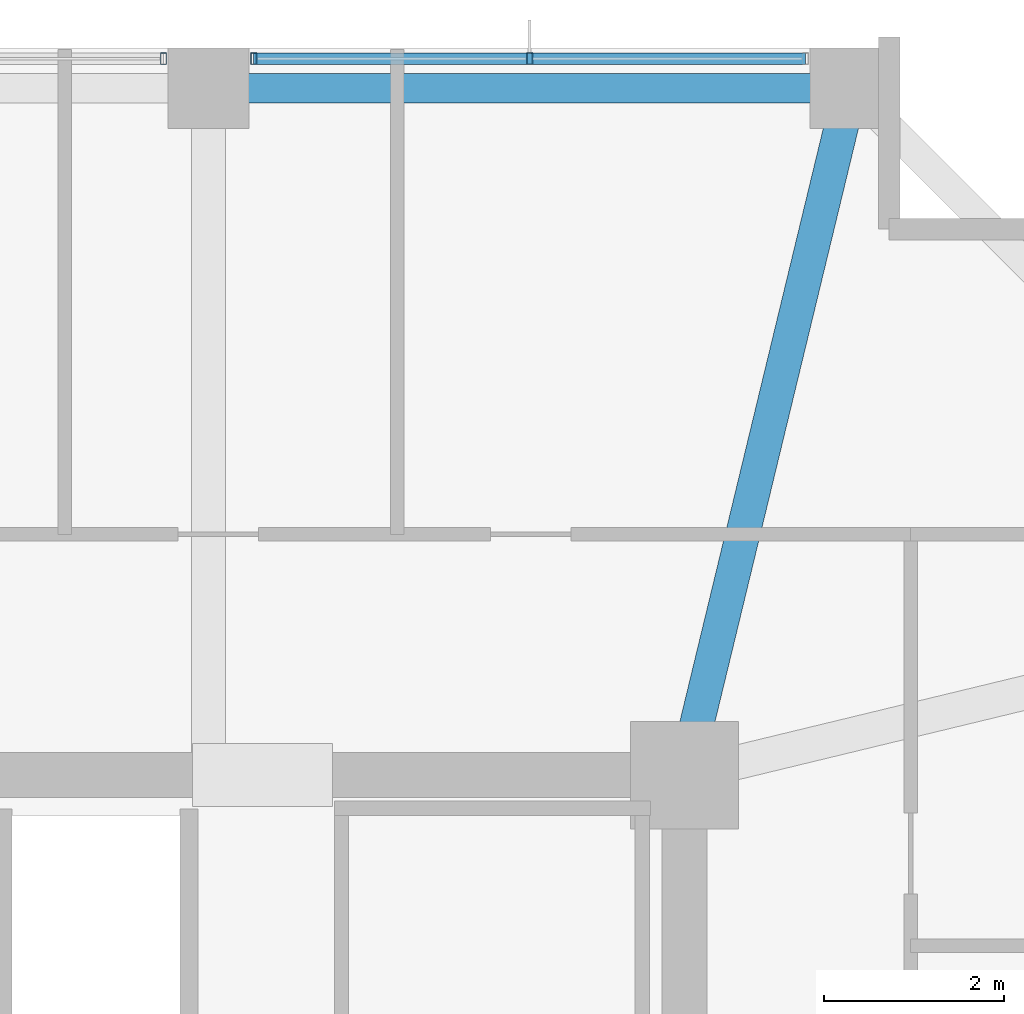
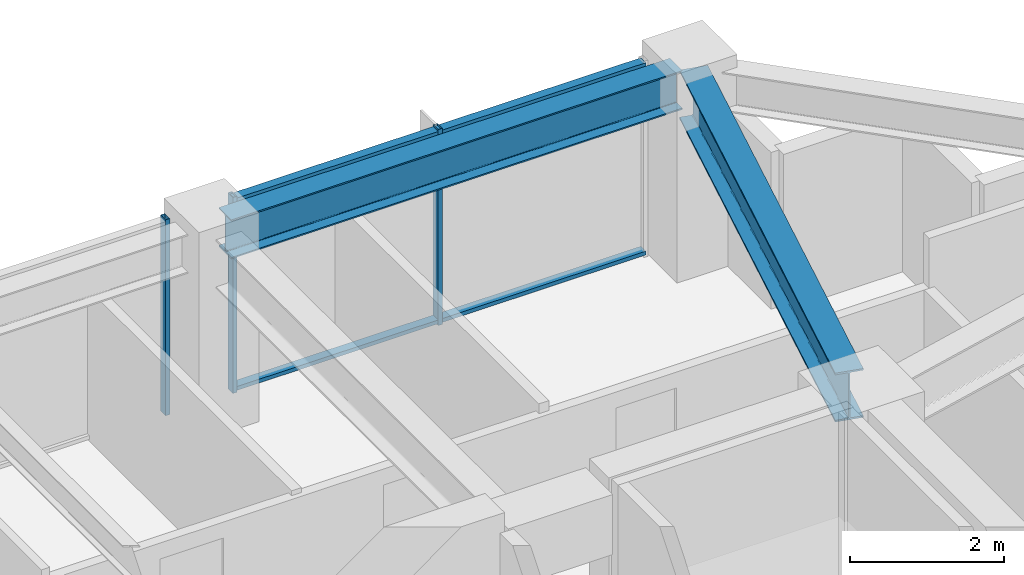
# One storey, part 21 of 33: 5 members, 2 beams, 2 elements without a shape of their own.
"""IFC4 building model written with IfcOpenShell, lengths in metres."""

import ifcopenshell
import ifcopenshell.guid

model = None  # the IFC model being written
_history = None  # IfcOwnerHistory: only IFC2X3 demands one
_inside = {}  # id of a spatial element -> (the spatial element, [elements in it])
_under = {}  # id of a project, library or spatial element -> (it, [spatial elements below it])
_declared = {}  # id of a project -> (the project, [libraries it declares])
_typed = {}  # id of a type object -> (the type object, [elements of that type])
_made_of = {}  # id of a material, layer set ... -> (it, [elements and type objects made of it])


def new_model(schema):
    """Start an empty IFC model of exactly this schema.

    Asked for "IFC4X3", IfcOpenShell would pick the latest addendum, in which some entities
    have other attributes; the version numbers below select the first issue.
    IFC2X3 requires an IfcOwnerHistory on every rooted entity: one is made here for all.
    """
    global model, _history
    if schema == "IFC4X3":
        model = ifcopenshell.file(schema_version=(4, 3, 0, 0))
    else:
        model = ifcopenshell.file(schema=schema)
    _inside.clear()
    _under.clear()
    _declared.clear()
    _typed.clear()
    _made_of.clear()
    _history = None
    if model.schema == "IFC2X3":
        org = make("IfcOrganization", Name="unknown")
        user = make(
            "IfcPersonAndOrganization",
            ThePerson=make("IfcPerson", FamilyName="unknown"),
            TheOrganization=org,
        )
        app = make(
            "IfcApplication",
            ApplicationDeveloper=org,
            Version="unknown",
            ApplicationFullName="unknown",
            ApplicationIdentifier="unknown",
        )
        _history = make(
            "IfcOwnerHistory",
            OwningUser=user,
            OwningApplication=app,
            ChangeAction="ADDED",
            CreationDate=0,
        )
    return model


def make(cls, **values):
    """One entity of the class cls with the attributes given. An attribute that is None is left unset."""
    return model.create_entity(
        cls, **{name: value for name, value in values.items() if value is not None}
    )


def rooted(cls, **values):
    """An entity with a GlobalId (a new one), such as an element, a storey or a relation."""
    return make(cls, GlobalId=ifcopenshell.guid.new(), OwnerHistory=_history, **values)


def si_unit(unit_type, name, prefix=None):
    """IfcSIUnit, for example si_unit("LENGTHUNIT", "METRE", prefix="MILLI")."""
    return make("IfcSIUnit", UnitType=unit_type, Prefix=prefix, Name=name)


def assignment(units):
    """IfcUnitAssignment: the units of a project."""
    return None if units is None else make("IfcUnitAssignment", Units=units)


def point(xyz):
    """IfcCartesianPoint."""
    return None if xyz is None else make("IfcCartesianPoint", Coordinates=xyz)


def direction(xyz):
    """IfcDirection."""
    return None if xyz is None else make("IfcDirection", DirectionRatios=xyz)


def frame(location, z_axis=None, x_axis=None):
    """IfcAxis2Placement3D, a coordinate frame: its origin and axes. An axis left out is left unset."""
    return make(
        "IfcAxis2Placement3D",
        Location=point(location),
        Axis=direction(z_axis),
        RefDirection=direction(x_axis),
    )


def frame_2d(location, x_axis=None):
    """IfcAxis2Placement2D, a coordinate frame in the plane: its origin and x axis."""
    return make(
        "IfcAxis2Placement2D", Location=point(location), RefDirection=direction(x_axis)
    )


def origin():
    """The frame at (0, 0, 0) with its axes left unset."""
    return frame((0.0, 0.0, 0.0))


def origin_2d():
    """The frame at (0, 0) in the plane with its x axis left unset."""
    return frame_2d((0.0, 0.0))


def place(relative_to, where):
    """IfcLocalPlacement: puts the frame where relative to a parent placement (None: the world)."""
    return make(
        "IfcLocalPlacement", PlacementRelTo=relative_to, RelativePlacement=where
    )


def context(
    kind, dimensions, precision=None, world=None, true_north=None, identifier=None
):
    """IfcGeometricRepresentationContext, for example the 3D "Model" context."""
    return make(
        "IfcGeometricRepresentationContext",
        ContextIdentifier=identifier,
        ContextType=kind,
        CoordinateSpaceDimension=dimensions,
        Precision=precision,
        WorldCoordinateSystem=world,
        TrueNorth=true_north,
    )


def subcontext(parent, identifier, kind, view, scale=None):
    """IfcGeometricRepresentationSubContext, for example "Body" below "Model"."""
    return make(
        "IfcGeometricRepresentationSubContext",
        ContextIdentifier=identifier,
        ContextType=kind,
        ParentContext=parent,
        TargetScale=scale,
        TargetView=view,
    )


def project(units=None, contexts=None):
    """IfcProject with its units and contexts."""
    return rooted(
        "IfcProject",
        Name="project",
        RepresentationContexts=contexts,
        UnitsInContext=assignment(units),
    )


def spatial(cls, under=None, at=None, **own):
    """A site, building, storey or space (cls), placed at a placement, below another one or the project."""
    s = rooted(cls, ObjectPlacement=at, **own)
    if under is not None:
        _under.setdefault(under.id(), (under, []))[1].append(s)
    return s


def profile(cls, at=None, kind="AREA", **sizes):
    """A parametric profile (cls). Its sizes go by their IFC names, for example OverallWidth=200.0."""
    return make(cls, ProfileType=kind, Position=at, **sizes)


def hollow_rectangle(**sizes):
    """IfcRectangleHollowProfileDef."""
    return profile("IfcRectangleHollowProfileDef", **sizes)


def i_section(**sizes):
    """IfcIShapeProfileDef."""
    return profile("IfcIShapeProfileDef", **sizes)


def extrude(swept, where, along, depth):
    """IfcExtrudedAreaSolid: the profile swept, set in the frame where, extruded along a direction by depth."""
    return make(
        "IfcExtrudedAreaSolid",
        SweptArea=swept,
        Position=where,
        ExtrudedDirection=direction(along),
        Depth=depth,
    )


def shape(context_of_items, identifier, shape_type, items):
    """IfcShapeRepresentation: the items that make up one representation, for example the "Body"."""
    return make(
        "IfcShapeRepresentation",
        ContextOfItems=context_of_items,
        RepresentationIdentifier=identifier,
        RepresentationType=shape_type,
        Items=items,
    )


def material(Name=None, Category=None):
    """IfcMaterial."""
    return make("IfcMaterial", Name=Name, Category=Category)


def material_profile(
    of_material, cross_section, Name=None, Category=None, Priority=None
):
    """IfcMaterialProfile: a cross section and its material."""
    return make(
        "IfcMaterialProfile",
        Name=Name,
        Material=of_material,
        Profile=cross_section,
        Priority=Priority,
        Category=Category,
    )


def profile_set(profiles, Name=None, composite=None):
    """IfcMaterialProfileSet."""
    return make(
        "IfcMaterialProfileSet",
        Name=Name,
        MaterialProfiles=profiles,
        CompositeProfile=composite,
    )


def made_of(thing, what):
    """Note that an element or type object is made of a material, layer set ...; save() writes the relation."""
    if what is not None:
        _made_of.setdefault(what.id(), (what, []))[1].append(thing)
    return thing


def type_object(cls, material=None, **own):
    """A type object (cls), such as IfcWallType, which elements share."""
    return made_of(rooted(cls, **own), material)


def element(
    cls,
    number,
    at=None,
    inside=None,
    cuts=None,
    type_object=None,
    material=None,
    context=None,
    identifier="Body",
    shape_type=None,
    held_by="IfcProductDefinitionShape",
    body=None,
    shapes=None,
    **own,
):
    """One element of the class cls, such as IfcWall. Its Tag is "e" and its number.

    at: its placement. inside: the storey or other place that contains it. cuts: it is an
    opening in that element (IfcRelVoidsElement). A single representation is given by context,
    identifier, shape_type and body (its items); several are given by shapes. held_by: the class
    of the entity that holds the representations. save() writes the other relations.
    """
    e = rooted(cls, Tag="e%d" % number, ObjectPlacement=at, **own)
    if body is not None:
        shapes = [shape(context, identifier, shape_type, body)]
    if shapes is not None:
        e.Representation = make(held_by, Representations=shapes)
    if inside is not None:
        _inside.setdefault(inside.id(), (inside, []))[1].append(e)
    if cuts is not None:
        rooted(
            "IfcRelVoidsElement", RelatingBuildingElement=cuts, RelatedOpeningElement=e
        )
    if type_object is not None:
        _typed.setdefault(type_object.id(), (type_object, []))[1].append(e)
    return made_of(e, material)


def aggregate(whole, parts):
    """IfcRelAggregates: a whole, such as a stair, and the parts it consists of."""
    return rooted("IfcRelAggregates", RelatingObject=whole, RelatedObjects=parts)


def save(model, path):
    """Write the relations noted so far, then the file.

    IfcRelAggregates (storeys below a building ...), IfcRelContainedInSpatialStructure (elements
    in a storey), IfcRelDefinesByType, IfcRelAssociatesMaterial and IfcRelDeclares: one each for
    every whole, place, type object, material and project.
    """
    for whole, parts in _under.values():
        aggregate(whole, parts)
    for where, things in _inside.values():
        rooted(
            "IfcRelContainedInSpatialStructure",
            RelatedElements=things,
            RelatingStructure=where,
        )
    for kind, things in _typed.values():
        rooted("IfcRelDefinesByType", RelatedObjects=things, RelatingType=kind)
    for what, things in _made_of.values():
        rooted("IfcRelAssociatesMaterial", RelatedObjects=things, RelatingMaterial=what)
    for by, libraries in _declared.values():
        rooted("IfcRelDeclares", RelatingContext=by, RelatedDefinitions=libraries)
    model.write(path)


model = new_model("IFC4")

# Units and contexts
model_context = context("Model", 3, precision=1e-05, world=origin(), true_north=direction((0.0, 1.0)))
body_context = subcontext(model_context, "Body", "Model", "MODEL_VIEW")
ifc_project = project(units=[si_unit("LENGTHUNIT", "METRE"), si_unit("AREAUNIT", "SQUARE_METRE"), si_unit("VOLUMEUNIT", "CUBIC_METRE"), si_unit("PLANEANGLEUNIT", "RADIAN"), si_unit("MASSUNIT", "GRAM", prefix="KILO")], contexts=[model_context])

# Site, building, storey
site_placement = place(None, origin())
site = spatial("IfcSite", under=ifc_project, at=site_placement, CompositionType="ELEMENT")
building_placement = place(site_placement, origin())
building = spatial("IfcBuilding", under=site, at=building_placement, Name="Kolvaren Belvedere", CompositionType="ELEMENT")
storey_placement = place(building_placement, frame((0.0, 0.0, 128.300048828125)))
storey = spatial("IfcBuildingStorey", under=building, at=storey_placement, Name="L37", CompositionType="ELEMENT", Elevation=128.300048828125)

# Beams
ifc_material_1 = material(Name="Structural steel ASTM A992 Grade 50", Category="steel")
ifc_material_profile_1 = material_profile(ifc_material_1, i_section(OverallWidth=0.381103515625, OverallDepth=0.77294921875, WebThickness=0.0166015625, FlangeThickness=0.027099609375, FilletRadius=0.02392578125, at=origin_2d()), Name="W30X173")
ifc_profile_set_1 = profile_set([ifc_material_profile_1], Name="Structural steel ASTM A992 Grade 50")
beam_type_1 = type_object("IfcBeamType", Name="BM-GIRD-W30X173", PredefinedType="BEAM", material=ifc_profile_set_1)
beam_1_placement = place(storey_placement, frame((10.029296875, 10.4345703125, 2.71337890625), z_axis=(0.235062749937, 0.971980197119, 0.0), x_axis=(-0.971980197119, 0.235062749937, 0.0)))
element("IfcBeam", 1, at=beam_1_placement, inside=storey, type_object=beam_type_1, Name="L37 Corner Core-to-Perimeter Girder CC3-N4", PredefinedType="BEAM", context=body_context, shape_type="SweptSolid", body=[
    extrude(i_section(OverallWidth=0.381103515625, OverallDepth=0.77294921875, WebThickness=0.0166015625, FlangeThickness=0.027099609375, FilletRadius=0.02392578125, at=origin_2d()), origin(), (0.0, 0.0, 1.0), 7.140625),
])
ifc_material_2 = material(Name="Structural steel ASTM A992 Grade 50", Category="steel")
ifc_material_profile_2 = material_profile(ifc_material_2, i_section(OverallWidth=0.324951171875, OverallDepth=0.615966796875, WebThickness=0.013916015625, FlangeThickness=0.021484375, FilletRadius=0.02001953125, at=origin_2d()), Name="W24X117")
ifc_profile_set_2 = profile_set([ifc_material_profile_2], Name="Structural steel ASTM A992 Grade 50")
beam_type_2 = type_object("IfcBeamType", Name="BM-SPAN-W24X117", PredefinedType="SPANDREL", material=ifc_profile_set_2)
beam_2_placement = place(storey_placement, frame((11.547607421875, 17.550048828125, 2.7919921875), z_axis=(-1.0, 0.0, 0.0), x_axis=(0.0, -1.0, 0.0)))
element("IfcBeam", 2, at=beam_2_placement, inside=storey, type_object=beam_type_2, Name="L37 Perimeter Spandrel N4-N3", PredefinedType="SPANDREL", context=body_context, shape_type="SweptSolid", body=[
    extrude(i_section(OverallWidth=0.324951171875, OverallDepth=0.615966796875, WebThickness=0.013916015625, FlangeThickness=0.021484375, FilletRadius=0.02001953125, at=origin_2d()), origin(), (0.0, 0.0, 1.0), 6.7451171875),
])

# Curtain wall, member
ifc_material_3 = material(Name="Anodised pale-metal aluminium AA 6063-T6", Category="aluminium")
curtain_wall_type = type_object("IfcCurtainWallType", Name="CW-Z3-WAIST", PredefinedType="NOTDEFINED", material=ifc_material_3)
curtain_wall_1_placement = place(storey_placement, origin())
curtain_wall_1 = element("IfcCurtainWall", 3, at=curtain_wall_1_placement, inside=storey, type_object=curtain_wall_type, Name="L37 Unitised Curtain Wall FCW-L37-N-B2", PredefinedType="NOTDEFINED")
ifc_material_4 = material(Name="Anodised pale-metal aluminium AA 6063-T6", Category="aluminium")
ifc_material_profile_3 = material_profile(ifc_material_4, hollow_rectangle(XDim=0.06494140625, YDim=0.1298828125, WallThickness=0.00390625, at=origin_2d()), Name="ALU-MUL-130X65")
ifc_profile_set_3 = profile_set([ifc_material_profile_3], Name="Anodised pale-metal aluminium AA 6063-T6")
member_type_1 = type_object("IfcMemberType", Name="CW-MUL-130", PredefinedType="MULLION", material=ifc_profile_set_3)
member_1_placement = place(storey_placement, frame((4.097412109375, 17.8798828125, 0.0), z_axis=(0.0, 0.0, 1.0), x_axis=(1.0, 0.0, 0.0)))
member_1 = element("IfcMember", 4, at=member_1_placement, type_object=member_type_1, Name="FCW-L37-N-B2 Unitised Mullion 3", PredefinedType="MULLION", context=body_context, shape_type="SweptSolid", body=[
    extrude(hollow_rectangle(XDim=0.06494140625, YDim=0.1298828125, WallThickness=0.00390625, at=origin_2d()), origin(), (0.0, 0.0, 1.0), 3.099853515625),
])
aggregate(curtain_wall_1, [member_1])

# Curtain wall, members
curtain_wall_2_placement = place(storey_placement, origin())
curtain_wall_2 = element("IfcCurtainWall", 5, at=curtain_wall_2_placement, inside=storey, type_object=curtain_wall_type, Name="L37 Unitised Curtain Wall FCW-L37-N-B3", PredefinedType="NOTDEFINED")
member_2_placement = place(storey_placement, frame((5.1025390625, 17.8798828125, 0.0), z_axis=(0.0, 0.0, 1.0), x_axis=(1.0, 0.0, 0.0)))
member_2 = element("IfcMember", 6, at=member_2_placement, type_object=member_type_1, Name="FCW-L37-N-B3 Unitised Mullion 1", PredefinedType="MULLION", context=body_context, shape_type="SweptSolid", body=[
    extrude(hollow_rectangle(XDim=0.06494140625, YDim=0.1298828125, WallThickness=0.00390625, at=origin_2d()), origin(), (0.0, 0.0, 1.0), 3.099853515625),
])
member_3_placement = place(storey_placement, frame((8.175048828125, 17.8798828125, 0.0), z_axis=(0.0, 0.0, 1.0), x_axis=(1.0, 0.0, 0.0)))
member_3 = element("IfcMember", 7, at=member_3_placement, type_object=member_type_1, Name="FCW-L37-N-B3 Unitised Mullion 2", PredefinedType="MULLION", context=body_context, shape_type="SweptSolid", body=[
    extrude(hollow_rectangle(XDim=0.06494140625, YDim=0.1298828125, WallThickness=0.00390625, at=origin_2d()), origin(), (0.0, 0.0, 1.0), 3.099853515625),
])
ifc_material_5 = material(Name="Anodised pale-metal aluminium AA 6063-T6", Category="aluminium")
ifc_material_profile_4 = material_profile(ifc_material_5, hollow_rectangle(XDim=0.06005859375, YDim=0.1298828125, WallThickness=0.00390625, at=origin_2d()), Name="ALU-TRN-130X60")
ifc_profile_set_4 = profile_set([ifc_material_profile_4], Name="Anodised pale-metal aluminium AA 6063-T6")
member_type_2 = type_object("IfcMemberType", Name="CW-TRN-130", PredefinedType="USERDEFINED", material=ifc_profile_set_4)
member_4_placement = place(storey_placement, frame((5.1025390625, 17.8798828125, 0.06005859375), z_axis=(1.0, 0.0, 0.0), x_axis=(0.0, 0.0, 1.0)))
member_4 = element("IfcMember", 8, at=member_4_placement, type_object=member_type_2, Name="FCW-L37-N-B3 Sill Transom", ObjectType="TRANSOM", PredefinedType="USERDEFINED", context=body_context, shape_type="SweptSolid", body=[
    extrude(hollow_rectangle(XDim=0.06005859375, YDim=0.1298828125, WallThickness=0.00390625, at=origin_2d()), origin(), (0.0, 0.0, 1.0), 6.14501953125),
])
member_5_placement = place(storey_placement, frame((5.1025390625, 17.8798828125, 3.0400390625), z_axis=(1.0, 0.0, 0.0), x_axis=(0.0, 0.0, 1.0)))
member_5 = element("IfcMember", 9, at=member_5_placement, type_object=member_type_2, Name="FCW-L37-N-B3 Head Transom", ObjectType="TRANSOM", PredefinedType="USERDEFINED", context=body_context, shape_type="SweptSolid", body=[
    extrude(hollow_rectangle(XDim=0.06005859375, YDim=0.1298828125, WallThickness=0.00390625, at=origin_2d()), origin(), (0.0, 0.0, 1.0), 6.14501953125),
])
aggregate(curtain_wall_2, [member_2, member_3, member_4, member_5])

save(model, "model.ifc")
